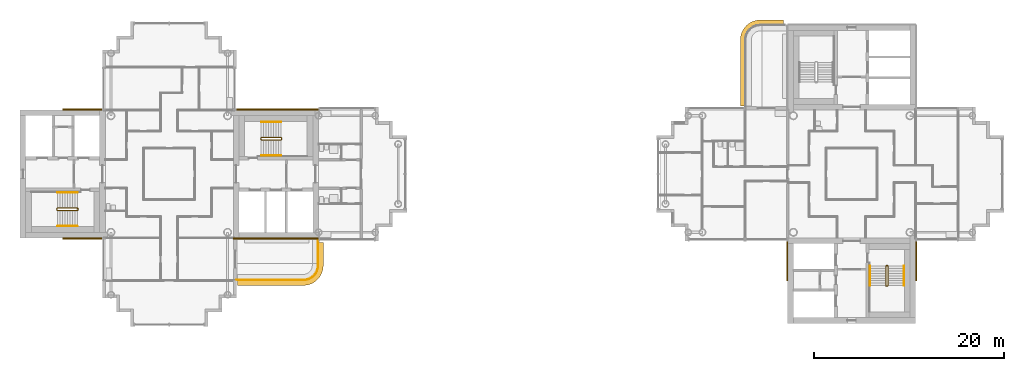
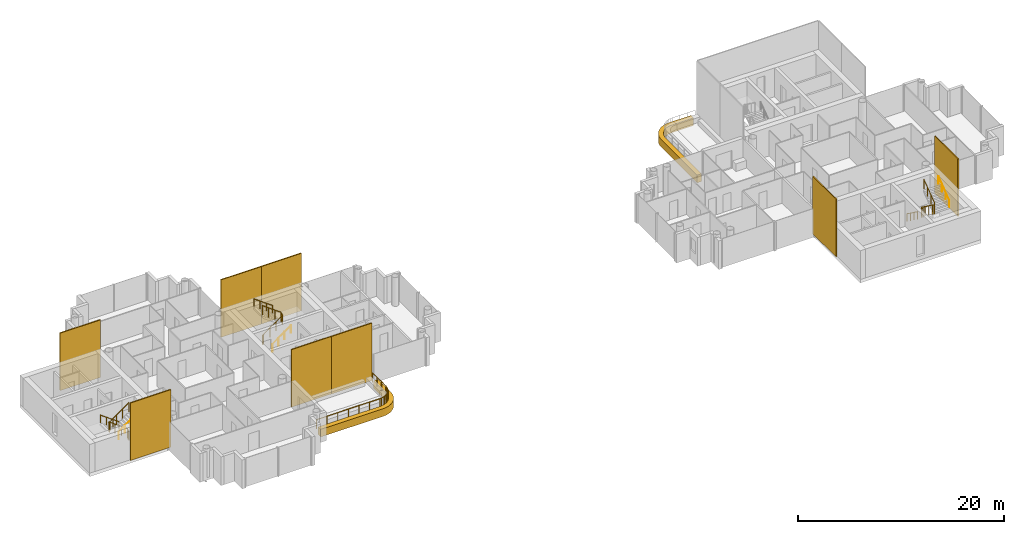
# One storey, part 16 of 18: 10 coverings, 10 railings.
"""IFC4 building model written with IfcOpenShell, lengths in metres."""

from ifc_helpers import new_model, si_unit, direction, frame, origin, origin_2d, place, context, subcontext, project, spatial, polyline, rectangle, circle, outline, extrude, material, layer, layer_set, type_object, element, save


model = new_model("IFC4")

# Units and contexts
model_context = context("Model", 3, precision=1e-05, world=origin(), true_north=direction((0.0, 1.0)))
body_context = subcontext(model_context, "Body", "Model", "MODEL_VIEW")
ifc_project = project(units=[si_unit("LENGTHUNIT", "METRE"), si_unit("AREAUNIT", "SQUARE_METRE"), si_unit("VOLUMEUNIT", "CUBIC_METRE"), si_unit("PLANEANGLEUNIT", "RADIAN"), si_unit("MASSUNIT", "GRAM", prefix="KILO")], contexts=[model_context])

# Site, building, storey
site_placement = place(None, origin())
site = spatial("IfcSite", under=ifc_project, at=site_placement, CompositionType="ELEMENT")
building_placement = place(site_placement, origin())
building = spatial("IfcBuilding", under=site, at=building_placement, Name="Ipe Terrace Towers", CompositionType="ELEMENT")
storey_placement = place(building_placement, frame((0.0, 0.0, 199.39990234375)))
storey = spatial("IfcBuildingStorey", under=building, at=storey_placement, Name="L55", CompositionType="ELEMENT", Elevation=199.39990234375)

# Railing
ifc_material_1 = material(Name="Stainless steel S316", Category="steel")
railing_type_1 = type_object("IfcRailingType", Name="GUARD 1100", PredefinedType="BALUSTRADE", material=ifc_material_1)
railing_1_placement = place(storey_placement, frame((-28.929931640625, -11.199951171875, -0.02001953125)))
element("IfcRailing", 1, at=railing_1_placement, inside=storey, type_object=railing_type_1, Name="guard", PredefinedType="BALUSTRADE", context=body_context, shape_type="SweptSolid", body=[
    extrude(circle(Radius=0.02392578125, at=origin_2d()), frame((0.0, 0.0, 1.076171875), z_axis=(1.0, 0.0, 0.0), x_axis=(0.0, 1.0, 0.0)), (0.0, 0.0, 1.0), 7.077880859375),
    extrude(circle(Radius=0.02392578125, at=origin_2d()), frame((7.077880859375, 0.0, 1.076171875), z_axis=(0.997996439513, 0.063270109204, 0.0), x_axis=(-0.063270109204, 0.997996439513, 0.0)), (0.0, 0.0, 1.0), 0.20458984375),
    extrude(circle(Radius=0.02392578125, at=origin_2d()), frame((7.281982421875, 0.012939453125, 1.076171875), z_axis=(0.980348670139, 0.197272615832, 0.0), x_axis=(-0.197272615832, 0.980348670139, 0.0)), (0.0, 0.0, 1.0), 0.202880859375),
    extrude(circle(Radius=0.02392578125, at=origin_2d()), frame((7.48095703125, 0.052978515625, 1.076171875), z_axis=(0.947227229435, 0.320562904618, 0.0), x_axis=(-0.320562904618, 0.947227229435, 0.0)), (0.0, 0.0, 1.0), 0.20263671875),
    extrude(circle(Radius=0.02392578125, at=origin_2d()), frame((7.6728515625, 0.117919921875, 1.076171875), z_axis=(0.896341374877, 0.443364567466, 0.0), x_axis=(-0.443364567466, 0.896341374877, 0.0)), (0.0, 0.0, 1.0), 0.203125),
    extrude(circle(Radius=0.02392578125, at=origin_2d()), frame((7.85498046875, 0.2080078125, 1.076171875), z_axis=(0.833344910936, 0.552753344103, 0.0), x_axis=(-0.552753344103, 0.833344910936, 0.0)), (0.0, 0.0, 1.0), 0.20263671875),
    extrude(circle(Radius=0.02392578125, at=origin_2d()), frame((8.02392578125, 0.320068359375, 1.076171875), z_axis=(0.750856952854, 0.660464863827, 0.0), x_axis=(-0.660464863827, 0.750856952854, 0.0)), (0.0, 0.0, 1.0), 0.20263671875),
    extrude(circle(Radius=0.02392578125, at=origin_2d()), frame((8.176025390625, 0.453857421875, 1.076171875), z_axis=(0.660464863827, 0.750856952854, 0.0), x_axis=(-0.750856952854, 0.660464863827, 0.0)), (0.0, 0.0, 1.0), 0.20263671875),
    extrude(circle(Radius=0.02392578125, at=origin_2d()), frame((8.309814453125, 0.60595703125, 1.076171875), z_axis=(0.552753344103, 0.833344910936, 0.0), x_axis=(-0.833344910936, 0.552753344103, 0.0)), (0.0, 0.0, 1.0), 0.20263671875),
    extrude(circle(Radius=0.02392578125, at=origin_2d()), frame((8.421875, 0.77490234375, 1.076171875), z_axis=(0.443364567466, 0.896341374877, 0.0), x_axis=(-0.896341374877, 0.443364567466, 0.0)), (0.0, 0.0, 1.0), 0.203125),
    extrude(circle(Radius=0.02392578125, at=origin_2d()), frame((8.511962890625, 0.95703125, 1.076171875), z_axis=(0.320562904618, 0.947227229435, 0.0), x_axis=(-0.947227229435, 0.320562904618, 0.0)), (0.0, 0.0, 1.0), 0.20263671875),
    extrude(circle(Radius=0.02392578125, at=origin_2d()), frame((8.576904296875, 1.14892578125, 1.076171875), z_axis=(0.197272615832, 0.980348670139, 0.0), x_axis=(-0.980348670139, 0.197272615832, 0.0)), (0.0, 0.0, 1.0), 0.202880859375),
    extrude(circle(Radius=0.02392578125, at=origin_2d()), frame((8.616943359375, 1.347900390625, 1.076171875), z_axis=(0.063270109204, 0.997996439513, 0.0), x_axis=(-0.997996439513, 0.063270109204, 0.0)), (0.0, 0.0, 1.0), 0.20458984375),
    extrude(circle(Radius=0.02392578125, at=origin_2d()), frame((8.6298828125, 1.552001953125, 1.076171875), z_axis=(0.0, 1.0, 0.0), x_axis=(-1.0, 0.0, 0.0)), (0.0, 0.0, 1.0), 2.577880859375),
    extrude(circle(Radius=0.02099609375, at=origin_2d()), origin(), (0.0, 0.0, 1.0), 1.052001953125),
    extrude(circle(Radius=0.02099609375, at=origin_2d()), frame((1.1796875, 0.0, 0.0)), (0.0, 0.0, 1.0), 1.052001953125),
    extrude(circle(Radius=0.02099609375, at=origin_2d()), frame((2.359375, 0.0, 0.0)), (0.0, 0.0, 1.0), 1.052001953125),
    extrude(circle(Radius=0.02099609375, at=origin_2d()), frame((3.5390625, 0.0, 0.0)), (0.0, 0.0, 1.0), 1.052001953125),
    extrude(circle(Radius=0.02099609375, at=origin_2d()), frame((4.718505859375, 0.0, 0.0)), (0.0, 0.0, 1.0), 1.052001953125),
    extrude(circle(Radius=0.02099609375, at=origin_2d()), frame((5.898193359375, 0.0, 0.0)), (0.0, 0.0, 1.0), 1.052001953125),
    extrude(circle(Radius=0.02099609375, at=origin_2d()), frame((7.077880859375, 0.0, 0.0)), (0.0, 0.0, 1.0), 1.052001953125),
    extrude(circle(Radius=0.02099609375, at=origin_2d()), frame((7.281982421875, 0.012939453125, 0.0)), (0.0, 0.0, 1.0), 1.052001953125),
    extrude(circle(Radius=0.02099609375, at=origin_2d()), frame((7.48095703125, 0.052978515625, 0.0)), (0.0, 0.0, 1.0), 1.052001953125),
    extrude(circle(Radius=0.02099609375, at=origin_2d()), frame((7.6728515625, 0.117919921875, 0.0)), (0.0, 0.0, 1.0), 1.052001953125),
    extrude(circle(Radius=0.02099609375, at=origin_2d()), frame((7.85498046875, 0.2080078125, 0.0)), (0.0, 0.0, 1.0), 1.052001953125),
    extrude(circle(Radius=0.02099609375, at=origin_2d()), frame((8.02392578125, 0.320068359375, 0.0)), (0.0, 0.0, 1.0), 1.052001953125),
    extrude(circle(Radius=0.02099609375, at=origin_2d()), frame((8.176025390625, 0.453857421875, 0.0)), (0.0, 0.0, 1.0), 1.052001953125),
    extrude(circle(Radius=0.02099609375, at=origin_2d()), frame((8.309814453125, 0.60595703125, 0.0)), (0.0, 0.0, 1.0), 1.052001953125),
    extrude(circle(Radius=0.02099609375, at=origin_2d()), frame((8.421875, 0.77490234375, 0.0)), (0.0, 0.0, 1.0), 1.052001953125),
    extrude(circle(Radius=0.02099609375, at=origin_2d()), frame((8.511962890625, 0.95703125, 0.0)), (0.0, 0.0, 1.0), 1.052001953125),
    extrude(circle(Radius=0.02099609375, at=origin_2d()), frame((8.576904296875, 1.14892578125, 0.0)), (0.0, 0.0, 1.0), 1.052001953125),
    extrude(circle(Radius=0.02099609375, at=origin_2d()), frame((8.616943359375, 1.347900390625, 0.0)), (0.0, 0.0, 1.0), 1.052001953125),
    extrude(circle(Radius=0.02099609375, at=origin_2d()), frame((8.6298828125, 1.552001953125, 0.0)), (0.0, 0.0, 1.0), 1.052001953125),
    extrude(circle(Radius=0.02099609375, at=origin_2d()), frame((8.6298828125, 2.411376953125, 0.0)), (0.0, 0.0, 1.0), 1.052001953125),
    extrude(circle(Radius=0.02099609375, at=origin_2d()), frame((8.6298828125, 3.2705078125, 0.0)), (0.0, 0.0, 1.0), 1.052001953125),
    extrude(circle(Radius=0.02099609375, at=origin_2d()), frame((8.6298828125, 4.1298828125, 0.0)), (0.0, 0.0, 1.0), 1.052001953125),
])

# Coverings
ifc_material_2 = material(Name="Concrete C50/60 precast, buff finish", Category="concrete")
ifc_layer_1 = layer(ifc_material_2, 0.1201171875)
ifc_layer_set_1 = layer_set([ifc_layer_1], Name="STONE CORE CLADDING 120")
covering_type_1 = type_object("IfcCoveringType", Name="STONE CORE CLADDING 120", PredefinedType="CLADDING", material=ifc_layer_set_1)
for number, where, z_axis, x_axis, name in (
    (2, (-45.0, -6.81005859375, 0.0), (0.0, 0.0, 1.0), (1.0, 0.0, 0.0), "stone core cladding"),
    (3, (-45.0, 6.81005859375, 0.0), (0.0, 0.0, 1.0), (-1.0, 0.0, 0.0), "stone core cladding"),
    (4, (-27.0, -6.81005859375, 0.0), (0.0, 0.0, 1.0), (1.0, 0.0, 0.0), "stone core cladding"),
):
    element("IfcCovering", number, at=place(storey_placement, frame(where, z_axis=z_axis, x_axis=x_axis)), inside=storey, type_object=covering_type_1, Name=name, PredefinedType="CLADDING", context=body_context, shape_type="SweptSolid", body=[
        extrude(rectangle(XDim=4.5, YDim=0.1201171875, at=origin_2d()), origin(), (0.0, 0.0, 1.0), 6.800048828125),
    ])
covering_1_placement = place(storey_placement, frame((-22.4990234375, -6.81005859375, 0.0), z_axis=(0.0, 0.0, 1.0), x_axis=(1.0, 0.0, 0.0)))
element("IfcCovering", 5, at=covering_1_placement, inside=storey, type_object=covering_type_1, Name="stone core cladding", PredefinedType="CLADDING", context=body_context, shape_type="SweptSolid", body=[
    extrude(rectangle(XDim=4.5009765625, YDim=0.1201171875, at=origin_2d()), origin(), (0.0, 0.0, 1.0), 6.800048828125),
])
covering_2_placement = place(storey_placement, frame((-27.0, 6.81005859375, 0.0), z_axis=(0.0, 0.0, 1.0), x_axis=(-1.0, 0.0, 0.0)))
element("IfcCovering", 6, at=covering_2_placement, inside=storey, type_object=covering_type_1, Name="stone core cladding", PredefinedType="CLADDING", context=body_context, shape_type="SweptSolid", body=[
    extrude(rectangle(XDim=4.5, YDim=0.1201171875, at=origin_2d()), origin(), (0.0, 0.0, 1.0), 6.800048828125),
])
covering_3_placement = place(storey_placement, frame((-22.4990234375, 6.81005859375, 0.0), z_axis=(0.0, 0.0, 1.0), x_axis=(-1.0, 0.0, 0.0)))
element("IfcCovering", 7, at=covering_3_placement, inside=storey, type_object=covering_type_1, Name="stone core cladding", PredefinedType="CLADDING", context=body_context, shape_type="SweptSolid", body=[
    extrude(rectangle(XDim=4.5009765625, YDim=0.1201171875, at=origin_2d()), origin(), (0.0, 0.0, 1.0), 6.800048828125),
])
for number, where, z_axis, x_axis, name in (
    (8, (29.18994140625, -9.0, 0.0), (0.0, 0.0, 1.0), (0.0, -1.0, 0.0), "stone core cladding"),
    (9, (42.81005859375, -9.0, 0.0), (0.0, 0.0, 1.0), (0.0, 1.0, 0.0), "stone core cladding"),
):
    element("IfcCovering", number, at=place(storey_placement, frame(where, z_axis=z_axis, x_axis=x_axis)), inside=storey, type_object=covering_type_1, Name=name, PredefinedType="CLADDING", context=body_context, shape_type="SweptSolid", body=[
        extrude(rectangle(XDim=4.5, YDim=0.1201171875, at=origin_2d()), origin(), (0.0, 0.0, 1.0), 6.800048828125),
    ])
ifc_material_3 = material(Name="Concrete C50/60 precast, buff finish", Category="concrete")
ifc_layer_2 = layer(ifc_material_3, 0.5)
ifc_layer_set_2 = layer_set([ifc_layer_2], Name="STONE EDGE BAND 500 x 900")
covering_type_2 = type_object("IfcCoveringType", Name="STONE EDGE BAND 500 x 900", PredefinedType="CLADDING", material=ifc_layer_set_2)
covering_4_placement = place(storey_placement, frame((0.0, 0.0, -0.719970703125)))
element("IfcCovering", 10, at=covering_4_placement, inside=storey, type_object=covering_type_2, Name="stone edge band", PredefinedType="CLADDING", context=body_context, shape_type="SweptSolid", body=[
    extrude(outline(polyline([(-21.85009765625, -11.75), (-21.81689453125, -11.7490234375), (-21.60791015625, -11.735107421875), (-21.5439453125, -11.72705078125), (-21.337890625, -11.68603515625), (-21.27490234375, -11.6689453125), (-21.076904296875, -11.60205078125), (-21.01708984375, -11.576904296875), (-20.8291015625, -11.48388671875), (-20.77197265625, -11.450927734375), (-20.597900390625, -11.3349609375), (-20.5458984375, -11.294921875), (-20.388916015625, -11.156982421875), (-20.343017578125, -11.111083984375), (-20.205078125, -10.9541015625), (-20.1650390625, -10.902099609375), (-20.049072265625, -10.72802734375), (-20.01611328125, -10.6708984375), (-19.923095703125, -10.48291015625), (-19.89794921875, -10.423095703125), (-19.8310546875, -10.22509765625), (-19.81396484375, -10.162109375), (-19.77294921875, -9.9560546875), (-19.764892578125, -9.89208984375), (-19.7509765625, -9.68310546875), (-19.75, -9.64990234375), (-19.75, -7.199951171875), (-20.25, -7.199951171875), (-20.25, -9.64990234375), (-20.263916015625, -9.85888671875), (-20.304931640625, -10.06396484375), (-20.3720703125, -10.261962890625), (-20.464111328125, -10.449951171875), (-20.5810546875, -10.6240234375), (-20.718994140625, -10.781005859375), (-20.8759765625, -10.9189453125), (-21.050048828125, -11.035888671875), (-21.238037109375, -11.1279296875), (-21.43603515625, -11.195068359375), (-21.64111328125, -11.236083984375), (-21.85009765625, -11.25), (-28.800048828125, -11.25), (-28.800048828125, -11.75), (-21.85009765625, -11.75)])), origin(), (0.0, 0.0, 1.0), 0.900146484375),
])
covering_5_placement = place(storey_placement, frame((0.0, 0.0, -0.719970703125)))
element("IfcCovering", 11, at=covering_5_placement, inside=storey, type_object=covering_type_2, Name="stone edge band", PredefinedType="CLADDING", context=body_context, shape_type="SweptSolid", body=[
    extrude(outline(polyline([(24.25, 14.14990234375), (24.25, 7.199951171875), (24.75, 7.199951171875), (24.75, 14.14990234375), (24.763916015625, 14.35888671875), (24.804931640625, 14.56396484375), (24.8720703125, 14.761962890625), (24.964111328125, 14.949951171875), (25.0810546875, 15.1240234375), (25.218994140625, 15.281005859375), (25.3759765625, 15.4189453125), (25.550048828125, 15.535888671875), (25.738037109375, 15.6279296875), (25.93603515625, 15.695068359375), (26.14111328125, 15.736083984375), (26.35009765625, 15.75), (28.800048828125, 15.75), (28.800048828125, 16.25), (26.35009765625, 16.25), (26.31689453125, 16.2490234375), (26.10791015625, 16.235107421875), (26.0439453125, 16.22705078125), (25.837890625, 16.18603515625), (25.77490234375, 16.1689453125), (25.576904296875, 16.10205078125), (25.51708984375, 16.076904296875), (25.3291015625, 15.98388671875), (25.27197265625, 15.950927734375), (25.097900390625, 15.8349609375), (25.0458984375, 15.794921875), (24.888916015625, 15.656982421875), (24.843017578125, 15.611083984375), (24.705078125, 15.4541015625), (24.6650390625, 15.402099609375), (24.549072265625, 15.22802734375), (24.51611328125, 15.1708984375), (24.423095703125, 14.98291015625), (24.39794921875, 14.923095703125), (24.3310546875, 14.72509765625), (24.31396484375, 14.662109375), (24.27294921875, 14.4560546875), (24.264892578125, 14.39208984375), (24.2509765625, 14.18310546875), (24.25, 14.14990234375)])), origin(), (0.0, 0.0, 1.0), 0.900146484375),
])

# Railings
ifc_material_4 = material(Name="Steel S355", Category="steel")
railing_type_2 = type_object("IfcRailingType", Name="Stair guard 1100", PredefinedType="GUARDRAIL", material=ifc_material_4)
railing_2_placement = place(storey_placement, frame((-26.35009765625, 3.800048828125, 0.0)))
element("IfcRailing", 12, at=railing_2_placement, inside=storey, type_object=railing_type_2, Name="L55 T1-ST1 stair guard 1", PredefinedType="GUARDRAIL", context=body_context, shape_type="SweptSolid", body=[
    extrude(circle(Radius=0.02392578125, at=origin_2d()), frame((0.0, 0.0, 1.076171875), z_axis=(0.0, -1.0, 0.0), x_axis=(1.0, 0.0, 0.0)), (0.0, 0.0, 1.0), 0.150146484375),
    extrude(circle(Radius=0.02392578125, at=origin_2d()), frame((0.0, -0.150146484375, 1.076171875), z_axis=(0.248103849378, -0.246893586699, 0.936743314239), x_axis=(0.705375805398, 0.708833529934, 0.0)), (0.0, 0.0, 1.0), 0.20166015625),
    extrude(circle(Radius=0.02392578125, at=origin_2d()), frame((0.050048828125, -0.199951171875, 1.26513671875), z_axis=(0.809023421508, 0.0, 0.587776406001), x_axis=(0.0, 1.0, 0.0)), (0.0, 0.0, 1.0), 2.571044921875),
    extrude(circle(Radius=0.02392578125, at=origin_2d()), frame((2.130126953125, -0.199951171875, 2.7763671875), z_axis=(0.708833529934, 0.705375805398, 0.0), x_axis=(-0.705375805398, 0.708833529934, 0.0)), (0.0, 0.0, 1.0), 0.070556640625),
    extrude(circle(Radius=0.02392578125, at=origin_2d()), frame((2.18017578125, -0.150146484375, 2.7763671875), z_axis=(0.0, 1.0, 0.0), x_axis=(-1.0, 0.0, 0.0)), (0.0, 0.0, 1.0), 0.150146484375),
    extrude(circle(Radius=0.02392578125, at=origin_2d()), frame((2.18017578125, 0.0, 2.7763671875), z_axis=(-0.248310886586, 0.248310886586, 0.936313733321), x_axis=(-0.707106781187, -0.707106781187, 0.0)), (0.0, 0.0, 1.0), 0.20166015625),
    extrude(circle(Radius=0.02392578125, at=origin_2d()), frame((2.130126953125, 0.050048828125, 2.96484375), z_axis=(-0.809023421508, 0.0, 0.587776406001), x_axis=(0.0, -1.0, 0.0)), (0.0, 0.0, 1.0), 2.571044921875),
    extrude(circle(Radius=0.02099609375, at=origin_2d()), origin(), (0.0, 0.0, 1.0), 1.052001953125),
    extrude(circle(Radius=0.02099609375, at=origin_2d()), frame((0.0, -0.150146484375, 0.0)), (0.0, 0.0, 1.0), 1.052001953125),
    extrude(circle(Radius=0.02099609375, at=origin_2d()), frame((0.050048828125, -0.199951171875, 0.18896484375)), (0.0, 0.0, 1.0), 1.052001953125),
    extrude(circle(Radius=0.02099609375, at=origin_2d()), frame((0.743408203125, -0.199951171875, 0.692626953125)), (0.0, 0.0, 1.0), 1.052001953125),
    extrude(circle(Radius=0.02099609375, at=origin_2d()), frame((1.436767578125, -0.199951171875, 1.196533203125)), (0.0, 0.0, 1.0), 1.052001953125),
    extrude(circle(Radius=0.02099609375, at=origin_2d()), frame((2.130126953125, -0.199951171875, 1.7001953125)), (0.0, 0.0, 1.0), 1.052001953125),
    extrude(circle(Radius=0.02099609375, at=origin_2d()), frame((2.18017578125, -0.150146484375, 1.7001953125)), (0.0, 0.0, 1.0), 1.052001953125),
    extrude(circle(Radius=0.02099609375, at=origin_2d()), frame((2.18017578125, 0.0, 1.7001953125)), (0.0, 0.0, 1.0), 1.052001953125),
    extrude(circle(Radius=0.02099609375, at=origin_2d()), frame((2.130126953125, 0.050048828125, 1.888916015625)), (0.0, 0.0, 1.0), 1.052001953125),
    extrude(circle(Radius=0.02099609375, at=origin_2d()), frame((1.436767578125, 0.050048828125, 2.392578125)), (0.0, 0.0, 1.0), 1.052001953125),
    extrude(circle(Radius=0.02099609375, at=origin_2d()), frame((0.743408203125, 0.050048828125, 2.896484375)), (0.0, 0.0, 1.0), 1.052001953125),
    extrude(circle(Radius=0.02099609375, at=origin_2d()), frame((0.050048828125, 0.050048828125, 3.400146484375)), (0.0, 0.0, 1.0), 1.052001953125),
])
railing_3_placement = place(storey_placement, frame((-45.64990234375, -3.800048828125, 0.0)))
element("IfcRailing", 13, at=railing_3_placement, inside=storey, type_object=railing_type_2, Name="L55 T1-ST2 stair guard 1", PredefinedType="GUARDRAIL", context=body_context, shape_type="SweptSolid", body=[
    extrude(circle(Radius=0.02392578125, at=origin_2d()), frame((0.0, 0.0, 1.076171875), z_axis=(0.0, 1.0, 0.0), x_axis=(-1.0, 0.0, 0.0)), (0.0, 0.0, 1.0), 0.150146484375),
    extrude(circle(Radius=0.02392578125, at=origin_2d()), frame((0.0, 0.150146484375, 1.076171875), z_axis=(-0.248103849378, 0.246893586699, 0.936743314239), x_axis=(-0.705375805398, -0.708833529934, 0.0)), (0.0, 0.0, 1.0), 0.20166015625),
    extrude(circle(Radius=0.02392578125, at=origin_2d()), frame((-0.050048828125, 0.199951171875, 1.26513671875), z_axis=(-0.809023421508, 0.0, 0.587776406001), x_axis=(0.0, -1.0, 0.0)), (0.0, 0.0, 1.0), 2.571044921875),
    extrude(circle(Radius=0.02392578125, at=origin_2d()), frame((-2.130126953125, 0.199951171875, 2.7763671875), z_axis=(-0.708833529934, -0.705375805398, 0.0), x_axis=(0.705375805398, -0.708833529934, 0.0)), (0.0, 0.0, 1.0), 0.070556640625),
    extrude(circle(Radius=0.02392578125, at=origin_2d()), frame((-2.18017578125, 0.150146484375, 2.7763671875), z_axis=(0.0, -1.0, 0.0), x_axis=(1.0, 0.0, 0.0)), (0.0, 0.0, 1.0), 0.150146484375),
    extrude(circle(Radius=0.02392578125, at=origin_2d()), frame((-2.18017578125, 0.0, 2.7763671875), z_axis=(0.248310886586, -0.248310886586, 0.936313733321), x_axis=(0.707106781187, 0.707106781187, 0.0)), (0.0, 0.0, 1.0), 0.20166015625),
    extrude(circle(Radius=0.02392578125, at=origin_2d()), frame((-2.130126953125, -0.050048828125, 2.96484375), z_axis=(0.809023421508, 0.0, 0.587776406001), x_axis=(0.0, 1.0, 0.0)), (0.0, 0.0, 1.0), 2.571044921875),
    extrude(circle(Radius=0.02099609375, at=origin_2d()), origin(), (0.0, 0.0, 1.0), 1.052001953125),
    extrude(circle(Radius=0.02099609375, at=origin_2d()), frame((0.0, 0.150146484375, 0.0)), (0.0, 0.0, 1.0), 1.052001953125),
    extrude(circle(Radius=0.02099609375, at=origin_2d()), frame((-0.050048828125, 0.199951171875, 0.18896484375)), (0.0, 0.0, 1.0), 1.052001953125),
    extrude(circle(Radius=0.02099609375, at=origin_2d()), frame((-0.743408203125, 0.199951171875, 0.692626953125)), (0.0, 0.0, 1.0), 1.052001953125),
    extrude(circle(Radius=0.02099609375, at=origin_2d()), frame((-1.436767578125, 0.199951171875, 1.196533203125)), (0.0, 0.0, 1.0), 1.052001953125),
    extrude(circle(Radius=0.02099609375, at=origin_2d()), frame((-2.130126953125, 0.199951171875, 1.7001953125)), (0.0, 0.0, 1.0), 1.052001953125),
    extrude(circle(Radius=0.02099609375, at=origin_2d()), frame((-2.18017578125, 0.150146484375, 1.7001953125)), (0.0, 0.0, 1.0), 1.052001953125),
    extrude(circle(Radius=0.02099609375, at=origin_2d()), frame((-2.18017578125, 0.0, 1.7001953125)), (0.0, 0.0, 1.0), 1.052001953125),
    extrude(circle(Radius=0.02099609375, at=origin_2d()), frame((-2.130126953125, -0.050048828125, 1.888916015625)), (0.0, 0.0, 1.0), 1.052001953125),
    extrude(circle(Radius=0.02099609375, at=origin_2d()), frame((-1.436767578125, -0.050048828125, 2.392578125)), (0.0, 0.0, 1.0), 1.052001953125),
    extrude(circle(Radius=0.02099609375, at=origin_2d()), frame((-0.743408203125, -0.050048828125, 2.896484375)), (0.0, 0.0, 1.0), 1.052001953125),
    extrude(circle(Radius=0.02099609375, at=origin_2d()), frame((-0.050048828125, -0.050048828125, 3.400146484375)), (0.0, 0.0, 1.0), 1.052001953125),
])
railing_4_placement = place(storey_placement, frame((39.800048828125, -9.64990234375, 0.0)))
element("IfcRailing", 14, at=railing_4_placement, inside=storey, type_object=railing_type_2, Name="L55 T2-ST2 stair guard 1", PredefinedType="GUARDRAIL", context=body_context, shape_type="SweptSolid", body=[
    extrude(circle(Radius=0.02392578125, at=origin_2d()), frame((0.0, 0.0, 1.076171875), z_axis=(-1.0, 0.0, 0.0), x_axis=(0.0, -1.0, 0.0)), (0.0, 0.0, 1.0), 0.150146484375),
    extrude(circle(Radius=0.02392578125, at=origin_2d()), frame((-0.150146484375, 0.0, 1.076171875), z_axis=(-0.246893586699, -0.248103849378, 0.936743314239), x_axis=(0.708833529934, -0.705375805398, 0.0)), (0.0, 0.0, 1.0), 0.20166015625),
    extrude(circle(Radius=0.02392578125, at=origin_2d()), frame((-0.199951171875, -0.050048828125, 1.26513671875), z_axis=(0.0, -0.809023421508, 0.587776406001), x_axis=(1.0, 0.0, 0.0)), (0.0, 0.0, 1.0), 2.571044921875),
    extrude(circle(Radius=0.02392578125, at=origin_2d()), frame((-0.199951171875, -2.130126953125, 2.7763671875), z_axis=(0.705375805398, -0.708833529934, 0.0), x_axis=(0.708833529934, 0.705375805398, 0.0)), (0.0, 0.0, 1.0), 0.070556640625),
    extrude(circle(Radius=0.02392578125, at=origin_2d()), frame((-0.150146484375, -2.18017578125, 2.7763671875), z_axis=(1.0, 0.0, 0.0), x_axis=(0.0, 1.0, 0.0)), (0.0, 0.0, 1.0), 0.150146484375),
    extrude(circle(Radius=0.02392578125, at=origin_2d()), frame((0.0, -2.18017578125, 2.7763671875), z_axis=(0.248310886586, 0.248310886586, 0.936313733321), x_axis=(-0.707106781187, 0.707106781187, 0.0)), (0.0, 0.0, 1.0), 0.20166015625),
    extrude(circle(Radius=0.02392578125, at=origin_2d()), frame((0.050048828125, -2.130126953125, 2.96484375), z_axis=(0.0, 0.809023421508, 0.587776406001), x_axis=(-1.0, 0.0, 0.0)), (0.0, 0.0, 1.0), 2.571044921875),
    extrude(circle(Radius=0.02099609375, at=origin_2d()), origin(), (0.0, 0.0, 1.0), 1.052001953125),
    extrude(circle(Radius=0.02099609375, at=origin_2d()), frame((-0.150146484375, 0.0, 0.0)), (0.0, 0.0, 1.0), 1.052001953125),
    extrude(circle(Radius=0.02099609375, at=origin_2d()), frame((-0.199951171875, -0.050048828125, 0.18896484375)), (0.0, 0.0, 1.0), 1.052001953125),
    extrude(circle(Radius=0.02099609375, at=origin_2d()), frame((-0.199951171875, -0.743408203125, 0.692626953125)), (0.0, 0.0, 1.0), 1.052001953125),
    extrude(circle(Radius=0.02099609375, at=origin_2d()), frame((-0.199951171875, -1.436767578125, 1.196533203125)), (0.0, 0.0, 1.0), 1.052001953125),
    extrude(circle(Radius=0.02099609375, at=origin_2d()), frame((-0.199951171875, -2.130126953125, 1.7001953125)), (0.0, 0.0, 1.0), 1.052001953125),
    extrude(circle(Radius=0.02099609375, at=origin_2d()), frame((-0.150146484375, -2.18017578125, 1.7001953125)), (0.0, 0.0, 1.0), 1.052001953125),
    extrude(circle(Radius=0.02099609375, at=origin_2d()), frame((0.0, -2.18017578125, 1.7001953125)), (0.0, 0.0, 1.0), 1.052001953125),
    extrude(circle(Radius=0.02099609375, at=origin_2d()), frame((0.050048828125, -2.130126953125, 1.888916015625)), (0.0, 0.0, 1.0), 1.052001953125),
    extrude(circle(Radius=0.02099609375, at=origin_2d()), frame((0.050048828125, -1.436767578125, 2.392578125)), (0.0, 0.0, 1.0), 1.052001953125),
    extrude(circle(Radius=0.02099609375, at=origin_2d()), frame((0.050048828125, -0.743408203125, 2.896484375)), (0.0, 0.0, 1.0), 1.052001953125),
    extrude(circle(Radius=0.02099609375, at=origin_2d()), frame((0.050048828125, -0.050048828125, 3.400146484375)), (0.0, 0.0, 1.0), 1.052001953125),
])
ifc_material_5 = material(Name="Stainless steel grade 304", Category="steel")
railing_type_3 = type_object("IfcRailingType", Name="Stair handrail 900", PredefinedType="HANDRAIL", material=ifc_material_5)
railing_5_placement = place(storey_placement, frame((-26.300048828125, 1.949951171875, 0.18896484375)))
element("IfcRailing", 15, at=railing_5_placement, inside=storey, type_object=railing_type_3, Name="L55 T1-ST1 stair handrail 1", PredefinedType="HANDRAIL", context=body_context, shape_type="SweptSolid", body=[
    extrude(circle(Radius=0.02392578125, at=origin_2d()), frame((0.0, 0.0, 0.8759765625), z_axis=(0.809023421508, 0.0, 0.587776406001), x_axis=(0.0, 1.0, 0.0)), (0.0, 0.0, 1.0), 2.571044921875),
    extrude(circle(Radius=0.02099609375, at=origin_2d()), origin(), (0.0, 0.0, 1.0), 0.851806640625),
    extrude(circle(Radius=0.02099609375, at=origin_2d()), frame((0.693359375, 0.0, 0.503662109375)), (0.0, 0.0, 1.0), 0.851806640625),
    extrude(circle(Radius=0.02099609375, at=origin_2d()), frame((1.38671875, 0.0, 1.007568359375)), (0.0, 0.0, 1.0), 0.851806640625),
    extrude(circle(Radius=0.02099609375, at=origin_2d()), frame((2.080078125, 0.0, 1.51123046875)), (0.0, 0.0, 1.0), 0.851806640625),
])
for number, where, name in (
    (16, (-24.219970703125, 5.5, 1.888916015625), "L55 T1-ST1 stair handrail 2"),
    (17, (-45.699951171875, -1.949951171875, 0.18896484375), "L55 T1-ST2 stair handrail 1"),
):
    element("IfcRailing", number, at=place(storey_placement, frame(where)), inside=storey, type_object=railing_type_3, Name=name, PredefinedType="HANDRAIL", context=body_context, shape_type="SweptSolid", body=[
        extrude(circle(Radius=0.02392578125, at=origin_2d()), frame((0.0, 0.0, 0.8759765625), z_axis=(-0.809023421508, 0.0, 0.587776406001), x_axis=(0.0, -1.0, 0.0)), (0.0, 0.0, 1.0), 2.571044921875),
        extrude(circle(Radius=0.02099609375, at=origin_2d()), origin(), (0.0, 0.0, 1.0), 0.851806640625),
        extrude(circle(Radius=0.02099609375, at=origin_2d()), frame((-0.693359375, 0.0, 0.503662109375)), (0.0, 0.0, 1.0), 0.851806640625),
        extrude(circle(Radius=0.02099609375, at=origin_2d()), frame((-1.38671875, 0.0, 1.007568359375)), (0.0, 0.0, 1.0), 0.851806640625),
        extrude(circle(Radius=0.02099609375, at=origin_2d()), frame((-2.080078125, 0.0, 1.51123046875)), (0.0, 0.0, 1.0), 0.851806640625),
    ])
railing_6_placement = place(storey_placement, frame((-47.780029296875, -5.5, 1.888916015625)))
element("IfcRailing", 18, at=railing_6_placement, inside=storey, type_object=railing_type_3, Name="L55 T1-ST2 stair handrail 2", PredefinedType="HANDRAIL", context=body_context, shape_type="SweptSolid", body=[
    extrude(circle(Radius=0.02392578125, at=origin_2d()), frame((0.0, 0.0, 0.8759765625), z_axis=(0.809023421508, 0.0, 0.587776406001), x_axis=(0.0, 1.0, 0.0)), (0.0, 0.0, 1.0), 2.571044921875),
    extrude(circle(Radius=0.02099609375, at=origin_2d()), origin(), (0.0, 0.0, 1.0), 0.851806640625),
    extrude(circle(Radius=0.02099609375, at=origin_2d()), frame((0.693359375, 0.0, 0.503662109375)), (0.0, 0.0, 1.0), 0.851806640625),
    extrude(circle(Radius=0.02099609375, at=origin_2d()), frame((1.38671875, 0.0, 1.007568359375)), (0.0, 0.0, 1.0), 0.851806640625),
    extrude(circle(Radius=0.02099609375, at=origin_2d()), frame((2.080078125, 0.0, 1.51123046875)), (0.0, 0.0, 1.0), 0.851806640625),
])
railing_7_placement = place(storey_placement, frame((37.949951171875, -9.699951171875, 0.18896484375)))
element("IfcRailing", 19, at=railing_7_placement, inside=storey, type_object=railing_type_3, Name="L55 T2-ST2 stair handrail 1", PredefinedType="HANDRAIL", context=body_context, shape_type="SweptSolid", body=[
    extrude(circle(Radius=0.02392578125, at=origin_2d()), frame((0.0, 0.0, 0.8759765625), z_axis=(0.0, -0.809023421508, 0.587776406001), x_axis=(1.0, 0.0, 0.0)), (0.0, 0.0, 1.0), 2.571044921875),
    extrude(circle(Radius=0.02099609375, at=origin_2d()), origin(), (0.0, 0.0, 1.0), 0.851806640625),
    extrude(circle(Radius=0.02099609375, at=origin_2d()), frame((0.0, -0.693359375, 0.503662109375)), (0.0, 0.0, 1.0), 0.851806640625),
    extrude(circle(Radius=0.02099609375, at=origin_2d()), frame((0.0, -1.38671875, 1.007568359375)), (0.0, 0.0, 1.0), 0.851806640625),
    extrude(circle(Radius=0.02099609375, at=origin_2d()), frame((0.0, -2.080078125, 1.51123046875)), (0.0, 0.0, 1.0), 0.851806640625),
])
railing_8_placement = place(storey_placement, frame((41.5, -11.780029296875, 1.888916015625)))
element("IfcRailing", 20, at=railing_8_placement, inside=storey, type_object=railing_type_3, Name="L55 T2-ST2 stair handrail 2", PredefinedType="HANDRAIL", context=body_context, shape_type="SweptSolid", body=[
    extrude(circle(Radius=0.02392578125, at=origin_2d()), frame((0.0, 0.0, 0.8759765625), z_axis=(0.0, 0.809023421508, 0.587776406001), x_axis=(-1.0, 0.0, 0.0)), (0.0, 0.0, 1.0), 2.571044921875),
    extrude(circle(Radius=0.02099609375, at=origin_2d()), origin(), (0.0, 0.0, 1.0), 0.851806640625),
    extrude(circle(Radius=0.02099609375, at=origin_2d()), frame((0.0, 0.693359375, 0.503662109375)), (0.0, 0.0, 1.0), 0.851806640625),
    extrude(circle(Radius=0.02099609375, at=origin_2d()), frame((0.0, 1.38671875, 1.007568359375)), (0.0, 0.0, 1.0), 0.851806640625),
    extrude(circle(Radius=0.02099609375, at=origin_2d()), frame((0.0, 2.080078125, 1.51123046875)), (0.0, 0.0, 1.0), 0.851806640625),
])

save(model, "model.ifc")
